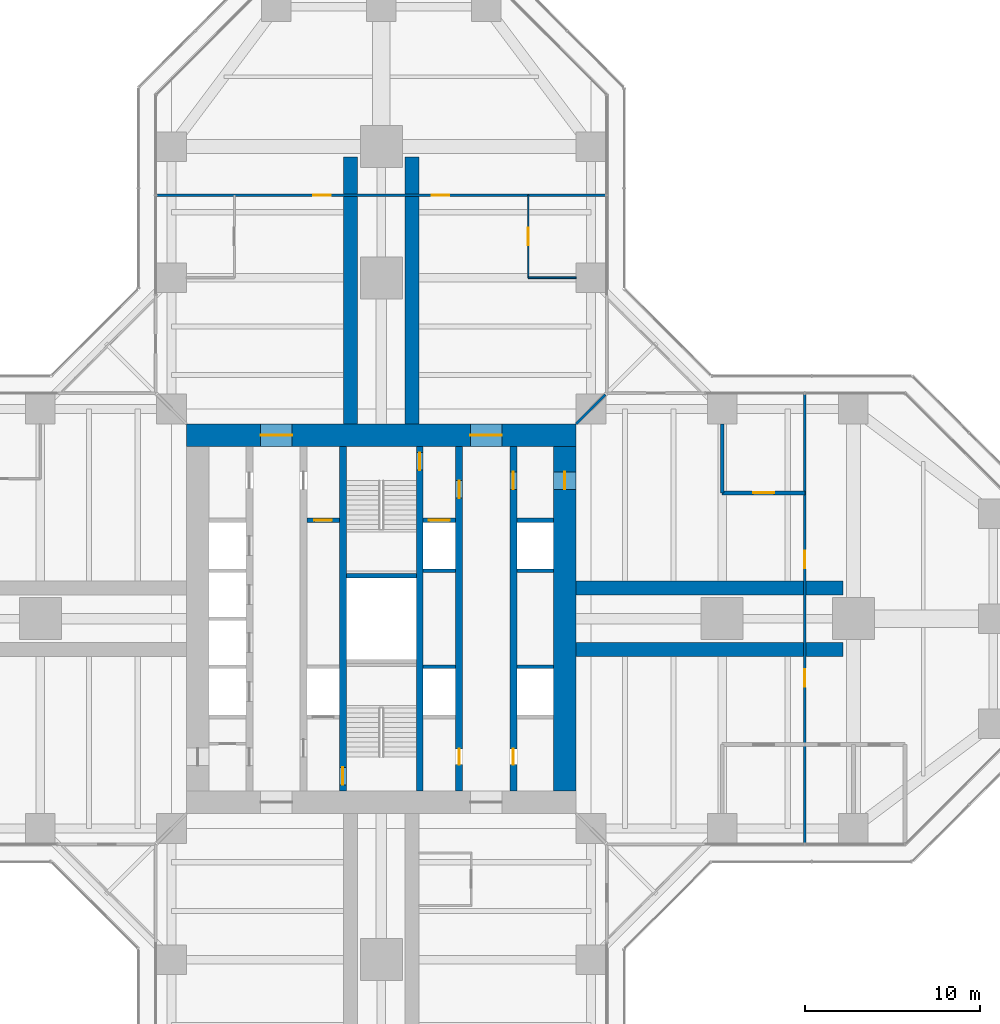
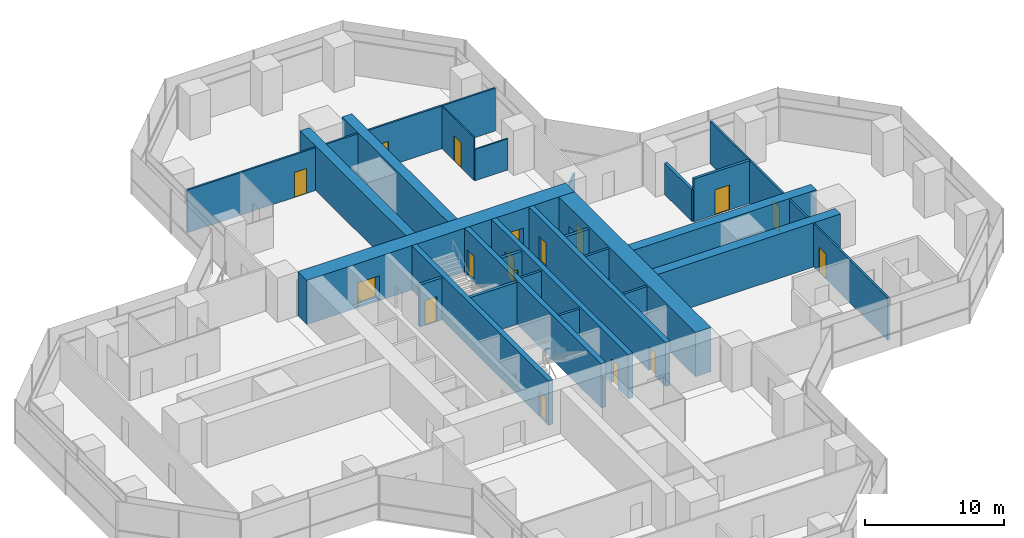
# One storey, part 19 of 22: 25 walls, 17 doors, 17 openings.
"""IFC4 building model written with IfcOpenShell, lengths in metres."""

from ifc_helpers import new_model, si_unit, direction, frame, frame_2d, origin, place, context, subcontext, project, spatial, rectangle, extrude, material, layer, layer_set, type_object, element, fill, save


model = new_model("IFC4")

# Units and contexts
model_context = context("Model", 3, precision=1e-05, world=origin(), true_north=direction((0.0, 1.0)))
body_context = subcontext(model_context, "Body", "Model", "MODEL_VIEW")
ifc_project = project(units=[si_unit("LENGTHUNIT", "METRE"), si_unit("AREAUNIT", "SQUARE_METRE"), si_unit("VOLUMEUNIT", "CUBIC_METRE"), si_unit("PLANEANGLEUNIT", "RADIAN"), si_unit("MASSUNIT", "GRAM", prefix="KILO")], contexts=[model_context])

# Site, building, storey
site_placement = place(None, origin())
site = spatial("IfcSite", under=ifc_project, at=site_placement, CompositionType="ELEMENT")
building_placement = place(site_placement, origin())
building = spatial("IfcBuilding", under=site, at=building_placement, Name="Mizan Broadcast Tower", CompositionType="ELEMENT")
storey_placement = place(building_placement, frame((0.0, 0.0, 82.5)))
storey = spatial("IfcBuildingStorey", under=building, at=storey_placement, Name="L17", CompositionType="ELEMENT", Elevation=82.5)

# Wall, openings, doors
ifc_material_1 = material(Name="Concrete C70/85", Category="concrete")
ifc_layer_1 = layer(ifc_material_1, 0.39990234375)
ifc_layer_set_1 = layer_set([ifc_layer_1], Name="Concrete C70/85")
wall_type_1 = type_object("IfcWallType", Name="CORE INTERNAL WALL 400", PredefinedType="SHEAR", material=ifc_layer_set_1)
wall_1_placement = place(storey_placement, frame((7.550048828125, 9.85009765625, 0.0), z_axis=(0.0, 0.0, 1.0), x_axis=(0.0, -1.0, 0.0)))
wall_1 = element("IfcWall", 1, at=wall_1_placement, inside=storey, type_object=wall_type_1, Name="Core wall CORE/XW1E", PredefinedType="SHEAR", context=body_context, shape_type="SweptSolid", body=[
    extrude(rectangle(XDim=19.7001953125, YDim=0.39990234375, at=frame_2d((9.85009765625, 0.0))), origin(), (0.0, 0.0, 1.0), 3.89990234375),
])
opening_1_placement = place(wall_1_placement, frame((1.449951171875, 0.0, 0.0)))
opening_1 = element("IfcOpeningElement", 2, at=opening_1_placement, cuts=wall_1, Name="Opening D10F", PredefinedType="OPENING", context=body_context, shape_type="SweptSolid", body=[
    extrude(rectangle(XDim=1.0, YDim=2.199951171875, at=frame_2d((0.5, 1.10009765625))), frame((0.0, 0.2099609375, 0.0), z_axis=(0.0, -1.0, 0.0), x_axis=(1.0, 0.0, 0.0)), (0.0, 0.0, 1.0), 0.419921875),
])
opening_2_placement = place(wall_1_placement, frame((17.300048828125, 0.0, 0.0)))
opening_2 = element("IfcOpeningElement", 3, at=opening_2_placement, cuts=wall_1, Name="Opening D09", PredefinedType="OPENING", context=body_context, shape_type="SweptSolid", body=[
    extrude(rectangle(XDim=0.89990234375, YDim=2.10009765625, at=frame_2d((0.449951171875, 1.050048828125))), frame((0.0, 0.2099609375, 0.0), z_axis=(0.0, -1.0, 0.0), x_axis=(1.0, 0.0, 0.0)), (0.0, 0.0, 1.0), 0.419921875),
])
ifc_material_2 = material(Name="Steel door leaf in steel frame", Category="steel")
door_type_1 = type_object("IfcDoorType", Name="FIRE DOOR 1000 FD90", OperationType="SINGLE_SWING_LEFT", PredefinedType="DOOR", material=ifc_material_2)
door_1_placement = place(opening_1_placement, origin())
door_1 = element("IfcDoor", 4, at=door_1_placement, inside=storey, type_object=door_type_1, Name="East core passage door", OperationType="SINGLE_SWING_LEFT", OverallHeight=2.199951171875, OverallWidth=1.0, PredefinedType="DOOR", context=body_context, shape_type="SweptSolid", body=[
    extrude(rectangle(XDim=1.0, YDim=2.199951171875, at=frame_2d((0.5, 1.10009765625))), frame((0.0, 0.02490234375, 0.0), z_axis=(0.0, -1.0, 0.0), x_axis=(1.0, 0.0, 0.0)), (0.0, 0.0, 1.0), 0.050048828125),
])
fill(opening_1, door_1)
ifc_material_3 = material(Name="Timber door leaf in aluminium frame", Category="wood")
door_type_2 = type_object("IfcDoorType", Name="TOILET DOOR 900", OperationType="SINGLE_SWING_LEFT", PredefinedType="DOOR", material=ifc_material_3)
door_2_placement = place(opening_2_placement, origin())
door_2 = element("IfcDoor", 5, at=door_2_placement, inside=storey, type_object=door_type_2, Name="Female WC door", OperationType="SINGLE_SWING_RIGHT", OverallHeight=2.10009765625, OverallWidth=0.89990234375, PredefinedType="DOOR", context=body_context, shape_type="SweptSolid", body=[
    extrude(rectangle(XDim=0.89990234375, YDim=2.10009765625, at=frame_2d((0.449951171875, 1.050048828125))), frame((0.0, 0.02490234375, 0.0), z_axis=(0.0, -1.0, 0.0), x_axis=(1.0, 0.0, 0.0)), (0.0, 0.0, 1.0), 0.050048828125),
])
fill(opening_2, door_2)

wall_2_placement = place(storey_placement, frame((4.449951171875, 9.85009765625, 0.0), z_axis=(0.0, 0.0, 1.0), x_axis=(0.0, -1.0, 0.0)))
wall_2 = element("IfcWall", 6, at=wall_2_placement, inside=storey, type_object=wall_type_1, Name="Core wall CORE/XWHE", PredefinedType="SHEAR", context=body_context, shape_type="SweptSolid", body=[
    extrude(rectangle(XDim=19.7001953125, YDim=0.39990234375, at=frame_2d((9.85009765625, 0.0))), origin(), (0.0, 0.0, 1.0), 3.89990234375),
])
opening_3_placement = place(wall_2_placement, frame((1.949951171875, 0.0, 0.0)))
opening_3 = element("IfcOpeningElement", 7, at=opening_3_placement, cuts=wall_2, Name="Opening D10F", PredefinedType="OPENING", context=body_context, shape_type="SweptSolid", body=[
    extrude(rectangle(XDim=1.0, YDim=2.199951171875, at=frame_2d((0.5, 1.10009765625))), frame((0.0, 0.2099609375, 0.0), z_axis=(0.0, -1.0, 0.0), x_axis=(1.0, 0.0, 0.0)), (0.0, 0.0, 1.0), 0.419921875),
])
opening_4_placement = place(wall_2_placement, frame((17.300048828125, 0.0, 0.0)))
opening_4 = element("IfcOpeningElement", 8, at=opening_4_placement, cuts=wall_2, Name="Opening D09", PredefinedType="OPENING", context=body_context, shape_type="SweptSolid", body=[
    extrude(rectangle(XDim=0.89990234375, YDim=2.10009765625, at=frame_2d((0.449951171875, 1.050048828125))), frame((0.0, 0.2099609375, 0.0), z_axis=(0.0, -1.0, 0.0), x_axis=(1.0, 0.0, 0.0)), (0.0, 0.0, 1.0), 0.419921875),
])
door_3_placement = place(opening_3_placement, origin())
door_3 = element("IfcDoor", 9, at=door_3_placement, inside=storey, type_object=door_type_1, Name="Firefighting lobby B door", OperationType="SINGLE_SWING_LEFT", OverallHeight=2.199951171875, OverallWidth=1.0, PredefinedType="DOOR", context=body_context, shape_type="SweptSolid", body=[
    extrude(rectangle(XDim=1.0, YDim=2.199951171875, at=frame_2d((0.5, 1.10009765625))), frame((0.0, 0.02490234375, 0.0), z_axis=(0.0, -1.0, 0.0), x_axis=(1.0, 0.0, 0.0)), (0.0, 0.0, 1.0), 0.050048828125),
])
fill(opening_3, door_3)
door_4_placement = place(opening_4_placement, origin())
door_4 = element("IfcDoor", 10, at=door_4_placement, inside=storey, type_object=door_type_2, Name="Cleaner's store door", OperationType="SINGLE_SWING_RIGHT", OverallHeight=2.10009765625, OverallWidth=0.89990234375, PredefinedType="DOOR", context=body_context, shape_type="SweptSolid", body=[
    extrude(rectangle(XDim=0.89990234375, YDim=2.10009765625, at=frame_2d((0.449951171875, 1.050048828125))), frame((0.0, 0.02490234375, 0.0), z_axis=(0.0, -1.0, 0.0), x_axis=(1.0, 0.0, 0.0)), (0.0, 0.0, 1.0), 0.050048828125),
])
fill(opening_4, door_4)

# Wall, opening, door
wall_3_placement = place(storey_placement, frame((-2.199951171875, -9.85009765625, 0.0), z_axis=(0.0, 0.0, 1.0), x_axis=(0.0, 1.0, 0.0)))
wall_3 = element("IfcWall", 11, at=wall_3_placement, inside=storey, type_object=wall_type_1, Name="Core wall CORE/XW2", PredefinedType="SHEAR", context=body_context, shape_type="SweptSolid", body=[
    extrude(rectangle(XDim=19.7001953125, YDim=0.39990234375, at=frame_2d((9.85009765625, 0.0))), origin(), (0.0, 0.0, 1.0), 3.89990234375),
])
opening_5_placement = place(wall_3_placement, frame((0.35009765625, 0.0, 0.0)))
opening_5 = element("IfcOpeningElement", 12, at=opening_5_placement, cuts=wall_3, Name="Opening D10S", PredefinedType="OPENING", context=body_context, shape_type="SweptSolid", body=[
    extrude(rectangle(XDim=1.0, YDim=2.199951171875, at=frame_2d((0.5, 1.10009765625))), frame((0.0, 0.2099609375, 0.0), z_axis=(0.0, -1.0, 0.0), x_axis=(1.0, 0.0, 0.0)), (0.0, 0.0, 1.0), 0.419921875),
])
ifc_material_4 = material(Name="Steel door leaf in steel frame", Category="steel")
door_type_3 = type_object("IfcDoorType", Name="STAIR DOOR 1000 FD90S", OperationType="SINGLE_SWING_RIGHT", PredefinedType="DOOR", material=ifc_material_4)
door_5_placement = place(opening_5_placement, origin())
door_5 = element("IfcDoor", 13, at=door_5_placement, inside=storey, type_object=door_type_3, Name="Stair A door", OperationType="SINGLE_SWING_RIGHT", OverallHeight=2.199951171875, OverallWidth=1.0, PredefinedType="DOOR", context=body_context, shape_type="SweptSolid", body=[
    extrude(rectangle(XDim=1.0, YDim=2.199951171875, at=frame_2d((0.5, 1.10009765625))), frame((0.0, 0.02490234375, 0.0), z_axis=(0.0, -1.0, 0.0), x_axis=(1.0, 0.0, 0.0)), (0.0, 0.0, 1.0), 0.050048828125),
])
fill(opening_5, door_5)

wall_4_placement = place(storey_placement, frame((2.199951171875, 9.85009765625, 0.0), z_axis=(0.0, 0.0, 1.0), x_axis=(0.0, -1.0, 0.0)))
wall_4 = element("IfcWall", 14, at=wall_4_placement, inside=storey, type_object=wall_type_1, Name="Core wall CORE/XW2E", PredefinedType="SHEAR", context=body_context, shape_type="SweptSolid", body=[
    extrude(rectangle(XDim=19.7001953125, YDim=0.39990234375, at=frame_2d((9.85009765625, 0.0))), origin(), (0.0, 0.0, 1.0), 3.89990234375),
])
opening_6_placement = place(wall_4_placement, frame((0.35009765625, 0.0, 0.0)))
opening_6 = element("IfcOpeningElement", 15, at=opening_6_placement, cuts=wall_4, Name="Opening D10S", PredefinedType="OPENING", context=body_context, shape_type="SweptSolid", body=[
    extrude(rectangle(XDim=1.0, YDim=2.199951171875, at=frame_2d((0.5, 1.10009765625))), frame((0.0, 0.2099609375, 0.0), z_axis=(0.0, -1.0, 0.0), x_axis=(1.0, 0.0, 0.0)), (0.0, 0.0, 1.0), 0.419921875),
])
door_6_placement = place(opening_6_placement, origin())
door_6 = element("IfcDoor", 16, at=door_6_placement, inside=storey, type_object=door_type_3, Name="Stair B door", OperationType="SINGLE_SWING_RIGHT", OverallHeight=2.199951171875, OverallWidth=1.0, PredefinedType="DOOR", context=body_context, shape_type="SweptSolid", body=[
    extrude(rectangle(XDim=1.0, YDim=2.199951171875, at=frame_2d((0.5, 1.10009765625))), frame((0.0, 0.02490234375, 0.0), z_axis=(0.0, -1.0, 0.0), x_axis=(1.0, 0.0, 0.0)), (0.0, 0.0, 1.0), 0.050048828125),
])
fill(opening_6, door_6)

# Wall, openings, doors
ifc_material_5 = material(Name="Concrete C70/85", Category="concrete")
ifc_layer_2 = layer(ifc_material_5, 1.300048828125)
ifc_layer_set_2 = layer_set([ifc_layer_2], Name="Concrete C70/85")
wall_type_2 = type_object("IfcWallType", Name="CORE WALL 1300", PredefinedType="SHEAR", material=ifc_layer_set_2)
wall_5_placement = place(storey_placement, frame((-11.14990234375, 10.5, 0.0), z_axis=(0.0, 0.0, 1.0), x_axis=(1.0, 0.0, 0.0)))
wall_5 = element("IfcWall", 17, at=wall_5_placement, inside=storey, type_object=wall_type_2, Name="Core wall N L17", PredefinedType="SHEAR", context=body_context, shape_type="SweptSolid", body=[
    extrude(rectangle(XDim=22.2998046875, YDim=1.300048828125, at=frame_2d((11.14990234375, 0.0))), origin(), (0.0, 0.0, 1.0), 3.89990234375),
])
opening_7_placement = place(wall_5_placement, frame((4.25, 0.0, 0.0)))
opening_7 = element("IfcOpeningElement", 18, at=opening_7_placement, cuts=wall_5, Name="Opening D18F", PredefinedType="OPENING", context=body_context, shape_type="SweptSolid", body=[
    extrude(rectangle(XDim=1.800048828125, YDim=2.199951171875, at=frame_2d((0.89990234375, 1.10009765625))), frame((0.0, 0.659912109375, 0.0), z_axis=(0.0, -1.0, 0.0), x_axis=(1.0, 0.0, 0.0)), (0.0, 0.0, 1.0), 1.320068359375),
])
opening_8_placement = place(wall_5_placement, frame((16.25, 0.0, 0.0)))
opening_8 = element("IfcOpeningElement", 19, at=opening_8_placement, cuts=wall_5, Name="Opening D18F", PredefinedType="OPENING", context=body_context, shape_type="SweptSolid", body=[
    extrude(rectangle(XDim=1.800048828125, YDim=2.199951171875, at=frame_2d((0.89990234375, 1.10009765625))), frame((0.0, 0.659912109375, 0.0), z_axis=(0.0, -1.0, 0.0), x_axis=(1.0, 0.0, 0.0)), (0.0, 0.0, 1.0), 1.320068359375),
])
ifc_material_6 = material(Name="Steel door leaf in steel frame", Category="steel")
door_type_4 = type_object("IfcDoorType", Name="LOBBY DOUBLE DOOR 1800 FD90", OperationType="DOUBLE_DOOR_DOUBLE_SWING", PredefinedType="DOOR", material=ifc_material_6)
door_7_placement = place(opening_7_placement, origin())
door_7 = element("IfcDoor", 20, at=door_7_placement, inside=storey, type_object=door_type_4, Name="West lift lobby north door", OperationType="DOUBLE_DOOR_DOUBLE_SWING", OverallHeight=2.199951171875, OverallWidth=1.800048828125, PredefinedType="DOOR", context=body_context, shape_type="SweptSolid", body=[
    extrude(rectangle(XDim=1.800048828125, YDim=2.199951171875, at=frame_2d((0.89990234375, 1.10009765625))), frame((0.0, 0.02490234375, 0.0), z_axis=(0.0, -1.0, 0.0), x_axis=(1.0, 0.0, 0.0)), (0.0, 0.0, 1.0), 0.050048828125),
])
fill(opening_7, door_7)
door_8_placement = place(opening_8_placement, origin())
door_8 = element("IfcDoor", 21, at=door_8_placement, inside=storey, type_object=door_type_4, Name="East lift lobby north door", OperationType="DOUBLE_DOOR_DOUBLE_SWING", OverallHeight=2.199951171875, OverallWidth=1.800048828125, PredefinedType="DOOR", context=body_context, shape_type="SweptSolid", body=[
    extrude(rectangle(XDim=1.800048828125, YDim=2.199951171875, at=frame_2d((0.89990234375, 1.10009765625))), frame((0.0, 0.02490234375, 0.0), z_axis=(0.0, -1.0, 0.0), x_axis=(1.0, 0.0, 0.0)), (0.0, 0.0, 1.0), 0.050048828125),
])
fill(opening_8, door_8)

# Wall, opening, door
wall_6_placement = place(storey_placement, frame((10.5, -9.85009765625, 0.0), z_axis=(0.0, 0.0, 1.0), x_axis=(0.0, 1.0, 0.0)))
wall_6 = element("IfcWall", 22, at=wall_6_placement, inside=storey, type_object=wall_type_2, Name="Core wall E L17", PredefinedType="SHEAR", context=body_context, shape_type="SweptSolid", body=[
    extrude(rectangle(XDim=19.7001953125, YDim=1.300048828125, at=frame_2d((9.85009765625, 0.0))), origin(), (0.0, 0.0, 1.0), 3.89990234375),
])
opening_9_placement = place(wall_6_placement, frame((17.25, 0.0, 0.0)))
opening_9 = element("IfcOpeningElement", 23, at=opening_9_placement, cuts=wall_6, Name="Opening D10F", PredefinedType="OPENING", context=body_context, shape_type="SweptSolid", body=[
    extrude(rectangle(XDim=1.0, YDim=2.199951171875, at=frame_2d((0.5, 1.10009765625))), frame((0.0, 0.659912109375, 0.0), z_axis=(0.0, -1.0, 0.0), x_axis=(1.0, 0.0, 0.0)), (0.0, 0.0, 1.0), 1.320068359375),
])
door_9_placement = place(opening_9_placement, origin())
door_9 = element("IfcDoor", 24, at=door_9_placement, inside=storey, type_object=door_type_1, Name="East core passage arm door", OperationType="SINGLE_SWING_RIGHT", OverallHeight=2.199951171875, OverallWidth=1.0, PredefinedType="DOOR", context=body_context, shape_type="SweptSolid", body=[
    extrude(rectangle(XDim=1.0, YDim=2.199951171875, at=frame_2d((0.5, 1.10009765625))), frame((0.0, 0.02490234375, 0.0), z_axis=(0.0, -1.0, 0.0), x_axis=(1.0, 0.0, 0.0)), (0.0, 0.0, 1.0), 0.050048828125),
])
fill(opening_9, door_9)

# Walls
ifc_material_7 = material(Name="Concrete blockwork", Category="masonry")
ifc_layer_3 = layer(ifc_material_7, 0.199951171875)
ifc_layer_set_3 = layer_set([ifc_layer_3], Name="Concrete blockwork")
wall_type_3 = type_object("IfcWallType", Name="LIFT SHAFT WALL 200", PredefinedType="SOLIDWALL", material=ifc_layer_set_3)
wall_7_placement = place(storey_placement, frame((2.39990234375, -2.75, 0.0), z_axis=(0.0, 0.0, 1.0), x_axis=(1.0, 0.0, 0.0)))
element("IfcWall", 25, at=wall_7_placement, inside=storey, type_object=wall_type_3, Name="Lift shaft wall CORE/SE2-1", PredefinedType="SOLIDWALL", context=body_context, shape_type="SweptSolid", body=[
    extrude(rectangle(XDim=1.85009765625, YDim=0.199951171875, at=frame_2d((0.925048828125, 0.0))), origin(), (0.0, 0.0, 1.0), 3.699951171875),
])
wall_8_placement = place(storey_placement, frame((7.75, -2.75, 0.0), z_axis=(0.0, 0.0, 1.0), x_axis=(1.0, 0.0, 0.0)))
element("IfcWall", 26, at=wall_8_placement, inside=storey, type_object=wall_type_3, Name="Lift shaft wall CORE/SE1-1", PredefinedType="SOLIDWALL", context=body_context, shape_type="SweptSolid", body=[
    extrude(rectangle(XDim=2.10009765625, YDim=0.199951171875, at=frame_2d((1.050048828125, 0.0))), origin(), (0.0, 0.0, 1.0), 3.699951171875),
])
wall_9_placement = place(storey_placement, frame((2.39990234375, 2.75, 0.0), z_axis=(0.0, 0.0, 1.0), x_axis=(1.0, 0.0, 0.0)))
element("IfcWall", 27, at=wall_9_placement, inside=storey, type_object=wall_type_3, Name="Lift shaft wall CORE/SE2-3", PredefinedType="SOLIDWALL", context=body_context, shape_type="SweptSolid", body=[
    extrude(rectangle(XDim=1.85009765625, YDim=0.199951171875, at=frame_2d((0.925048828125, 0.0))), origin(), (0.0, 0.0, 1.0), 3.699951171875),
])
wall_10_placement = place(storey_placement, frame((7.75, 2.75, 0.0), z_axis=(0.0, 0.0, 1.0), x_axis=(1.0, 0.0, 0.0)))
element("IfcWall", 28, at=wall_10_placement, inside=storey, type_object=wall_type_3, Name="Lift shaft wall CORE/SE1-3", PredefinedType="SOLIDWALL", context=body_context, shape_type="SweptSolid", body=[
    extrude(rectangle(XDim=2.10009765625, YDim=0.199951171875, at=frame_2d((1.050048828125, 0.0))), origin(), (0.0, 0.0, 1.0), 3.699951171875),
])

# Wall, opening, door
ifc_material_8 = material(Name="Concrete blockwork", Category="masonry")
ifc_layer_4 = layer(ifc_material_8, 0.25)
ifc_layer_set_4 = layer_set([ifc_layer_4], Name="Concrete blockwork")
wall_type_4 = type_object("IfcWallType", Name="LOBBY ENCLOSURE WALL 250", PredefinedType="SOLIDWALL", material=ifc_layer_set_4)
wall_11_placement = place(storey_placement, frame((-4.25, 5.625, 0.0), z_axis=(0.0, 0.0, 1.0), x_axis=(1.0, 0.0, 0.0)))
wall_11 = element("IfcWall", 29, at=wall_11_placement, inside=storey, type_object=wall_type_4, Name="Lobby enclosure wall CORE/BW2N", PredefinedType="SOLIDWALL", context=body_context, shape_type="SweptSolid", body=[
    extrude(rectangle(XDim=1.85009765625, YDim=0.25, at=frame_2d((0.925048828125, 0.0))), origin(), (0.0, 0.0, 1.0), 3.699951171875),
])
opening_10_placement = place(wall_11_placement, frame((0.425048828125, 0.0, 0.0)))
opening_10 = element("IfcOpeningElement", 30, at=opening_10_placement, cuts=wall_11, Name="Opening D10F", PredefinedType="OPENING", context=body_context, shape_type="SweptSolid", body=[
    extrude(rectangle(XDim=1.0, YDim=2.199951171875, at=frame_2d((0.5, 1.10009765625))), frame((0.0, 0.135009765625, 0.0), z_axis=(0.0, -1.0, 0.0), x_axis=(1.0, 0.0, 0.0)), (0.0, 0.0, 1.0), 0.27001953125),
])
door_10_placement = place(opening_10_placement, origin())
door_10 = element("IfcDoor", 31, at=door_10_placement, inside=storey, type_object=door_type_1, Name="Accessible changing room door", OperationType="SINGLE_SWING_RIGHT", OverallHeight=2.199951171875, OverallWidth=1.0, PredefinedType="DOOR", context=body_context, shape_type="SweptSolid", body=[
    extrude(rectangle(XDim=1.0, YDim=2.199951171875, at=frame_2d((0.5, 1.10009765625))), frame((0.0, 0.02490234375, 0.0), z_axis=(0.0, -1.0, 0.0), x_axis=(1.0, 0.0, 0.0)), (0.0, 0.0, 1.0), 0.050048828125),
])
fill(opening_10, door_10)

wall_12_placement = place(storey_placement, frame((2.39990234375, 5.625, 0.0), z_axis=(0.0, 0.0, 1.0), x_axis=(1.0, 0.0, 0.0)))
wall_12 = element("IfcWall", 32, at=wall_12_placement, inside=storey, type_object=wall_type_4, Name="Lobby enclosure wall CORE/BE2N", PredefinedType="SOLIDWALL", context=body_context, shape_type="SweptSolid", body=[
    extrude(rectangle(XDim=1.85009765625, YDim=0.25, at=frame_2d((0.925048828125, 0.0))), origin(), (0.0, 0.0, 1.0), 3.699951171875),
])
opening_11_placement = place(wall_12_placement, frame((0.324951171875, 0.0, 0.0)))
opening_11 = element("IfcOpeningElement", 33, at=opening_11_placement, cuts=wall_12, Name="Opening LDF", PredefinedType="OPENING", context=body_context, shape_type="SweptSolid", body=[
    extrude(rectangle(XDim=1.199951171875, YDim=2.199951171875, at=frame_2d((0.60009765625, 1.10009765625))), frame((0.0, 0.135009765625, 0.0), z_axis=(0.0, -1.0, 0.0), x_axis=(1.0, 0.0, 0.0)), (0.0, 0.0, 1.0), 0.27001953125),
])
ifc_material_9 = material(Name="Steel door leaf in steel frame", Category="steel")
door_type_5 = type_object("IfcDoorType", Name="FIREFIGHTING LIFT LANDING DOOR 1200", OperationType="SLIDING_TO_LEFT", PredefinedType="DOOR", material=ifc_material_9)
door_11_placement = place(opening_11_placement, origin())
door_11 = element("IfcDoor", 34, at=door_11_placement, inside=storey, type_object=door_type_5, Name="Landing door FF2", OperationType="SLIDING_TO_LEFT", OverallHeight=2.199951171875, OverallWidth=1.199951171875, PredefinedType="DOOR", context=body_context, shape_type="SweptSolid", body=[
    extrude(rectangle(XDim=1.199951171875, YDim=2.199951171875, at=frame_2d((0.60009765625, 1.10009765625))), frame((0.0, 0.02490234375, 0.0), z_axis=(0.0, -1.0, 0.0), x_axis=(1.0, 0.0, 0.0)), (0.0, 0.0, 1.0), 0.050048828125),
])
fill(opening_11, door_11)

# Walls
wall_13_placement = place(storey_placement, frame((7.75, 5.625, 0.0), z_axis=(0.0, 0.0, 1.0), x_axis=(1.0, 0.0, 0.0)))
element("IfcWall", 35, at=wall_13_placement, inside=storey, type_object=wall_type_4, Name="Lobby enclosure wall CORE/BE1N", PredefinedType="SOLIDWALL", context=body_context, shape_type="SweptSolid", body=[
    extrude(rectangle(XDim=2.10009765625, YDim=0.25, at=frame_2d((1.050048828125, 0.0))), origin(), (0.0, 0.0, 1.0), 3.699951171875),
])
wall_14_placement = place(storey_placement, frame((-2.0, 2.449951171875, 0.0), z_axis=(0.0, 0.0, 1.0), x_axis=(1.0, 0.0, 0.0)))
element("IfcWall", 36, at=wall_14_placement, inside=storey, type_object=wall_type_4, Name="Lobby enclosure wall CORE/STB", PredefinedType="SOLIDWALL", context=body_context, shape_type="SweptSolid", body=[
    extrude(rectangle(XDim=4.0, YDim=0.25, at=frame_2d((2.0, 0.0))), origin(), (0.0, 0.0, 1.0), 3.699951171875),
])

# Wall, openings, doors
ifc_material_10 = material(Name="Gypsum board on steel studs", Category="steel")
ifc_layer_5 = layer(ifc_material_10, 0.14990234375)
ifc_layer_set_5 = layer_set([ifc_layer_5], Name="Gypsum board on steel studs")
wall_type_5 = type_object("IfcWallType", Name="PARTITION 150", PredefinedType="PARTITIONING", material=ifc_layer_set_5)
wall_15_placement = place(storey_placement, frame((24.22900390625, -12.820068359375, 0.0), z_axis=(0.0, 0.0, 1.0), x_axis=(0.0, 1.0, 0.0)))
wall_15 = element("IfcWall", 37, at=wall_15_placement, inside=storey, type_object=wall_type_5, Name="Partition PT/EX1", PredefinedType="PARTITIONING", context=body_context, shape_type="SweptSolid", body=[
    extrude(rectangle(XDim=25.64013671875, YDim=0.14990234375, at=frame_2d((12.820068359375, 0.0))), origin(), (0.0, 0.0, 1.0), 3.77001953125),
])
opening_12_placement = place(wall_15_placement, frame((15.719970703125, 0.0, 0.0)))
opening_12 = element("IfcOpeningElement", 38, at=opening_12_placement, cuts=wall_15, Name="Opening D10", PredefinedType="OPENING", context=body_context, shape_type="SweptSolid", body=[
    extrude(rectangle(XDim=1.0, YDim=2.199951171875, at=frame_2d((0.5, 1.10009765625))), frame((0.0, 0.0849609375, 0.0), z_axis=(0.0, -1.0, 0.0), x_axis=(1.0, 0.0, 0.0)), (0.0, 0.0, 1.0), 0.169921875),
])
opening_13_placement = place(wall_15_placement, frame((8.919921875, 0.0, 0.0)))
opening_13 = element("IfcOpeningElement", 39, at=opening_13_placement, cuts=wall_15, Name="Opening D10", PredefinedType="OPENING", context=body_context, shape_type="SweptSolid", body=[
    extrude(rectangle(XDim=1.0, YDim=2.199951171875, at=frame_2d((0.5, 1.10009765625))), frame((0.0, 0.0849609375, 0.0), z_axis=(0.0, -1.0, 0.0), x_axis=(1.0, 0.0, 0.0)), (0.0, 0.0, 1.0), 0.169921875),
])
ifc_material_11 = material(Name="Timber door leaf in aluminium frame", Category="wood")
door_type_6 = type_object("IfcDoorType", Name="ROOM DOOR 1000", OperationType="SINGLE_SWING_LEFT", PredefinedType="DOOR", material=ifc_material_11)
door_12_placement = place(opening_12_placement, origin())
door_12 = element("IfcDoor", 40, at=door_12_placement, inside=storey, type_object=door_type_6, Name="Open office door", OperationType="SINGLE_SWING_RIGHT", OverallHeight=2.199951171875, OverallWidth=1.0, PredefinedType="DOOR", context=body_context, shape_type="SweptSolid", body=[
    extrude(rectangle(XDim=1.0, YDim=2.199951171875, at=frame_2d((0.5, 1.10009765625))), frame((0.0, 0.02490234375, 0.0), z_axis=(0.0, -1.0, 0.0), x_axis=(1.0, 0.0, 0.0)), (0.0, 0.0, 1.0), 0.050048828125),
])
fill(opening_12, door_12)
door_13_placement = place(opening_13_placement, origin())
door_13 = element("IfcDoor", 41, at=door_13_placement, inside=storey, type_object=door_type_6, Name="Open office door", OperationType="SINGLE_SWING_LEFT", OverallHeight=2.199951171875, OverallWidth=1.0, PredefinedType="DOOR", context=body_context, shape_type="SweptSolid", body=[
    extrude(rectangle(XDim=1.0, YDim=2.199951171875, at=frame_2d((0.5, 1.10009765625))), frame((0.0, 0.02490234375, 0.0), z_axis=(0.0, -1.0, 0.0), x_axis=(1.0, 0.0, 0.0)), (0.0, 0.0, 1.0), 0.050048828125),
])
fill(opening_13, door_13)

wall_16_placement = place(storey_placement, frame((12.820068359375, 24.22900390625, 0.0), z_axis=(0.0, 0.0, 1.0), x_axis=(-1.0, 0.0, 0.0)))
wall_16 = element("IfcWall", 42, at=wall_16_placement, inside=storey, type_object=wall_type_5, Name="Partition PT/NX1", PredefinedType="PARTITIONING", context=body_context, shape_type="SweptSolid", body=[
    extrude(rectangle(XDim=25.64013671875, YDim=0.14990234375, at=frame_2d((12.820068359375, 0.0))), origin(), (0.0, 0.0, 1.0), 3.77001953125),
])
opening_14_placement = place(wall_16_placement, frame((15.719970703125, 0.0, 0.0)))
opening_14 = element("IfcOpeningElement", 43, at=opening_14_placement, cuts=wall_16, Name="Opening D10", PredefinedType="OPENING", context=body_context, shape_type="SweptSolid", body=[
    extrude(rectangle(XDim=1.0, YDim=2.199951171875, at=frame_2d((0.5, 1.10009765625))), frame((0.0, 0.0849609375, 0.0), z_axis=(0.0, -1.0, 0.0), x_axis=(1.0, 0.0, 0.0)), (0.0, 0.0, 1.0), 0.169921875),
])
opening_15_placement = place(wall_16_placement, frame((8.919921875, 0.0, 0.0)))
opening_15 = element("IfcOpeningElement", 44, at=opening_15_placement, cuts=wall_16, Name="Opening D10", PredefinedType="OPENING", context=body_context, shape_type="SweptSolid", body=[
    extrude(rectangle(XDim=1.0, YDim=2.199951171875, at=frame_2d((0.5, 1.10009765625))), frame((0.0, 0.0849609375, 0.0), z_axis=(0.0, -1.0, 0.0), x_axis=(1.0, 0.0, 0.0)), (0.0, 0.0, 1.0), 0.169921875),
])
door_14_placement = place(opening_14_placement, origin())
door_14 = element("IfcDoor", 45, at=door_14_placement, inside=storey, type_object=door_type_6, Name="Script library door", OperationType="SINGLE_SWING_RIGHT", OverallHeight=2.199951171875, OverallWidth=1.0, PredefinedType="DOOR", context=body_context, shape_type="SweptSolid", body=[
    extrude(rectangle(XDim=1.0, YDim=2.199951171875, at=frame_2d((0.5, 1.10009765625))), frame((0.0, 0.02490234375, 0.0), z_axis=(0.0, -1.0, 0.0), x_axis=(1.0, 0.0, 0.0)), (0.0, 0.0, 1.0), 0.050048828125),
])
fill(opening_14, door_14)
door_15_placement = place(opening_15_placement, origin())
door_15 = element("IfcDoor", 46, at=door_15_placement, inside=storey, type_object=door_type_6, Name="Script library door", OperationType="SINGLE_SWING_LEFT", OverallHeight=2.199951171875, OverallWidth=1.0, PredefinedType="DOOR", context=body_context, shape_type="SweptSolid", body=[
    extrude(rectangle(XDim=1.0, YDim=2.199951171875, at=frame_2d((0.5, 1.10009765625))), frame((0.0, 0.02490234375, 0.0), z_axis=(0.0, -1.0, 0.0), x_axis=(1.0, 0.0, 0.0)), (0.0, 0.0, 1.0), 0.050048828125),
])
fill(opening_15, door_15)

# Wall
wall_17_placement = place(storey_placement, frame((11.14990234375, 11.14990234375, 0.0), z_axis=(0.0, 0.0, 1.0), x_axis=(0.707106781187, 0.707106781187, 0.0)))
element("IfcWall", 47, at=wall_17_placement, inside=storey, type_object=wall_type_5, Name="Partition PT/DGEN", PredefinedType="PARTITIONING", context=body_context, shape_type="SweptSolid", body=[
    extrude(rectangle(XDim=2.362060546875, YDim=0.14990234375, at=frame_2d((1.18115234375, 0.0))), origin(), (0.0, 0.0, 1.0), 3.219970703125),
])

# Wall, opening, door
ifc_material_12 = material(Name="Twin steel stud acoustic partition, four layers of gypsum board", Category="steel")
ifc_layer_6 = layer(ifc_material_12, 0.22509765625)
ifc_layer_set_6 = layer_set([ifc_layer_6], Name="Twin steel stud acoustic partition, four layers of gypsum board")
wall_type_6 = type_object("IfcWallType", Name="PARTITION ACOUSTIC 225", PredefinedType="PARTITIONING", material=ifc_layer_set_6)
wall_18_placement = place(storey_placement, frame((19.5, 7.199951171875, 0.0), z_axis=(0.0, 0.0, 1.0), x_axis=(1.0, 0.0, 0.0)))
wall_18 = element("IfcWall", 48, at=wall_18_placement, inside=storey, type_object=wall_type_6, Name="Acoustic partition PT/ECP0", PredefinedType="PARTITIONING", context=body_context, shape_type="SweptSolid", body=[
    extrude(rectangle(XDim=4.72900390625, YDim=0.22509765625, at=frame_2d((2.364501953125, 0.0))), origin(), (0.0, 0.0, 1.0), 3.77001953125),
])
opening_16_placement = place(wall_18_placement, frame((1.764404296875, 0.0, 0.0)))
opening_16 = element("IfcOpeningElement", 49, at=opening_16_placement, cuts=wall_18, Name="Opening D12A", PredefinedType="OPENING", context=body_context, shape_type="SweptSolid", body=[
    extrude(rectangle(XDim=1.199951171875, YDim=2.199951171875, at=frame_2d((0.60009765625, 1.10009765625))), frame((0.0, 0.12255859375, 0.0), z_axis=(0.0, -1.0, 0.0), x_axis=(1.0, 0.0, 0.0)), (0.0, 0.0, 1.0), 0.2451171875),
])
ifc_material_13 = material(Name="Timber door leaf in aluminium frame", Category="wood")
door_type_7 = type_object("IfcDoorType", Name="ACOUSTIC DOOR 1200", OperationType="SINGLE_SWING_LEFT", PredefinedType="DOOR", material=ifc_material_13)
door_16_placement = place(opening_16_placement, origin())
door_16 = element("IfcDoor", 50, at=door_16_placement, inside=storey, type_object=door_type_7, Name="Commissioning editor's office door", OperationType="SINGLE_SWING_LEFT", OverallHeight=2.199951171875, OverallWidth=1.199951171875, PredefinedType="DOOR", context=body_context, shape_type="SweptSolid", body=[
    extrude(rectangle(XDim=1.199951171875, YDim=2.199951171875, at=frame_2d((0.60009765625, 1.10009765625))), frame((0.0, 0.02490234375, 0.0), z_axis=(0.0, -1.0, 0.0), x_axis=(1.0, 0.0, 0.0)), (0.0, 0.0, 1.0), 0.050048828125),
])
fill(opening_16, door_16)

# Wall
wall_19_placement = place(storey_placement, frame((19.5, 7.199951171875, 0.0), z_axis=(0.0, 0.0, 1.0), x_axis=(0.0, 1.0, 0.0)))
element("IfcWall", 51, at=wall_19_placement, inside=storey, type_object=wall_type_6, Name="Acoustic partition PT/EQP1950", PredefinedType="PARTITIONING", context=body_context, shape_type="SweptSolid", body=[
    extrude(rectangle(XDim=3.949951171875, YDim=0.22509765625, at=frame_2d((1.97509765625, 0.0))), origin(), (0.0, 0.0, 1.0), 2.77001953125),
])

# Wall, opening, door
ifc_material_14 = material(Name="Glazed aluminium partition on aluminium track", Category="aluminium")
ifc_layer_7 = layer(ifc_material_14, 0.10009765625)
ifc_layer_set_7 = layer_set([ifc_layer_7], Name="Glazed aluminium partition on aluminium track")
wall_type_7 = type_object("IfcWallType", Name="PARTITION GLAZED OFFICE FRONT 100", PredefinedType="PARTITIONING", material=ifc_layer_set_7)
wall_20_placement = place(storey_placement, frame((8.39990234375, 19.5, 0.0), z_axis=(0.0, 0.0, 1.0), x_axis=(0.0, 1.0, 0.0)))
wall_20 = element("IfcWall", 52, at=wall_20_placement, inside=storey, type_object=wall_type_7, Name="Glazed office front PT/NCN0", PredefinedType="PARTITIONING", context=body_context, shape_type="SweptSolid", body=[
    extrude(rectangle(XDim=4.72900390625, YDim=0.10009765625, at=frame_2d((2.364501953125, 0.0))), origin(), (0.0, 0.0, 1.0), 3.77001953125),
])
opening_17_placement = place(wall_20_placement, frame((1.864501953125, 0.0, 0.0)))
opening_17 = element("IfcOpeningElement", 53, at=opening_17_placement, cuts=wall_20, Name="Opening D10O", PredefinedType="OPENING", context=body_context, shape_type="SweptSolid", body=[
    extrude(rectangle(XDim=1.0, YDim=2.199951171875, at=frame_2d((0.5, 1.10009765625))), frame((0.0, 0.06005859375, 0.0), z_axis=(0.0, -1.0, 0.0), x_axis=(1.0, 0.0, 0.0)), (0.0, 0.0, 1.0), 0.1201171875),
])
ifc_material_15 = material(Name="Timber door leaf in aluminium frame", Category="wood")
door_type_8 = type_object("IfcDoorType", Name="OFFICE DOOR 1000 GLAZED", OperationType="SINGLE_SWING_LEFT", PredefinedType="DOOR", material=ifc_material_15)
door_17_placement = place(opening_17_placement, origin())
door_17 = element("IfcDoor", 54, at=door_17_placement, inside=storey, type_object=door_type_8, Name="Office door", OperationType="SINGLE_SWING_LEFT", OverallHeight=2.199951171875, OverallWidth=1.0, PredefinedType="DOOR", context=body_context, shape_type="SweptSolid", body=[
    extrude(rectangle(XDim=1.0, YDim=2.199951171875, at=frame_2d((0.5, 1.10009765625))), frame((0.0, 0.02490234375, 0.0), z_axis=(0.0, -1.0, 0.0), x_axis=(1.0, 0.0, 0.0)), (0.0, 0.0, 1.0), 0.050048828125),
])
fill(opening_17, door_17)

# Walls
wall_21_placement = place(storey_placement, frame((8.39990234375, 19.5, 0.0), z_axis=(0.0, 0.0, 1.0), x_axis=(1.0, 0.0, 0.0)))
element("IfcWall", 55, at=wall_21_placement, inside=storey, type_object=wall_type_7, Name="Glazed office front PT/NQN1950", PredefinedType="PARTITIONING", context=body_context, shape_type="SweptSolid", body=[
    extrude(rectangle(XDim=2.75, YDim=0.10009765625, at=frame_2d((1.375, 0.0))), origin(), (0.0, 0.0, 1.0), 2.77001953125),
])
ifc_material_16 = material(Name="Concrete C70/85", Category="concrete")
ifc_layer_8 = layer(ifc_material_16, 0.800048828125)
ifc_layer_set_8 = layer_set([ifc_layer_8], Name="Concrete C70/85")
wall_type_8 = type_object("IfcWallType", Name="SPINE WALL 800", PredefinedType="SHEAR", material=ifc_layer_set_8)
for number, where, z_axis, x_axis, name in (
    (56, (11.14990234375, -1.75, 0.0), (0.0, 0.0, 1.0), (1.0, 0.0, 0.0), "Spine wall ER L17"),
    (57, (11.14990234375, 1.75, 0.0), (0.0, 0.0, 1.0), (1.0, 0.0, 0.0), "Spine wall EL L17"),
    (58, (1.75, 11.14990234375, 0.0), (0.0, 0.0, 1.0), (0.0, 1.0, 0.0), "Spine wall NR L17"),
    (59, (-1.75, 11.14990234375, 0.0), (0.0, 0.0, 1.0), (0.0, 1.0, 0.0), "Spine wall NL L17"),
):
    element("IfcWall", number, at=place(storey_placement, frame(where, z_axis=z_axis, x_axis=x_axis)), inside=storey, type_object=wall_type_8, Name=name, PredefinedType="SHEAR", context=body_context, shape_type="SweptSolid", body=[
        extrude(rectangle(XDim=15.25, YDim=0.800048828125, at=frame_2d((7.625, 0.0))), origin(), (0.0, 0.0, 1.0), 3.89990234375),
    ])

save(model, "model.ifc")
